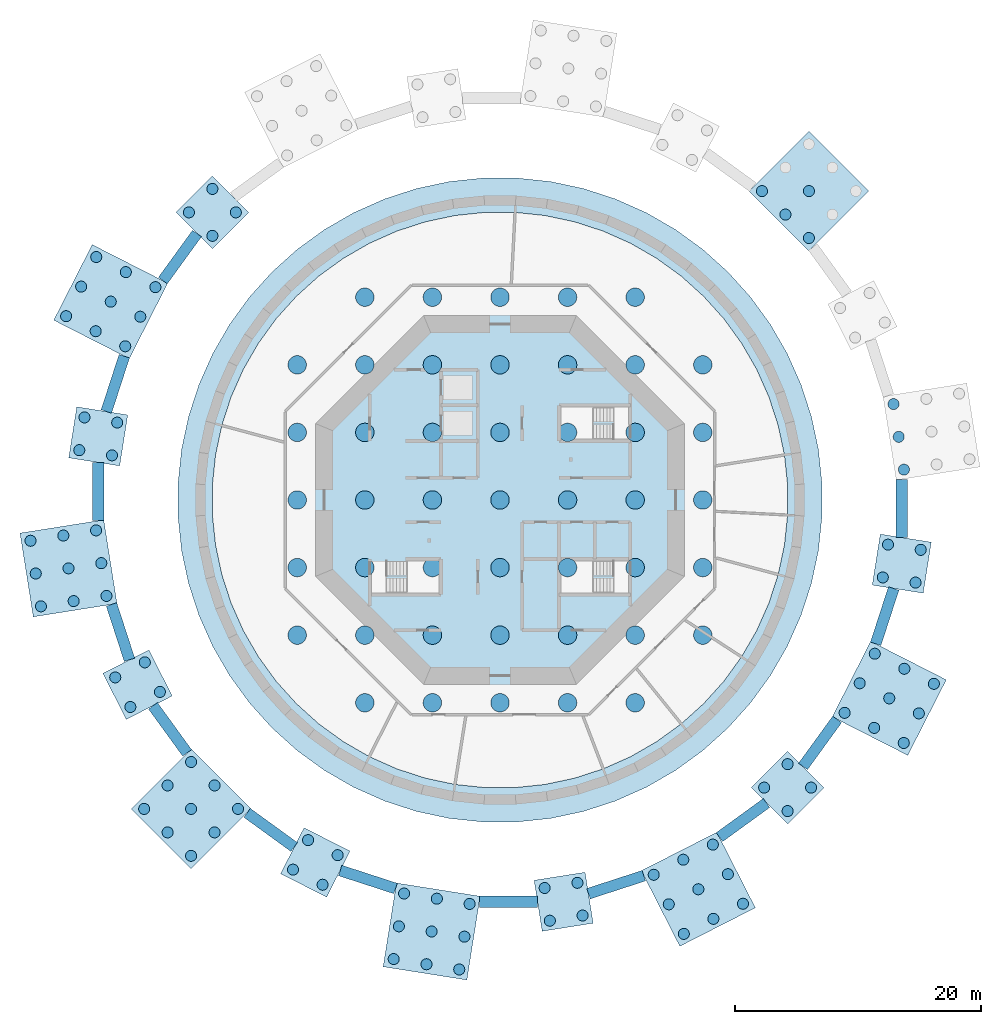
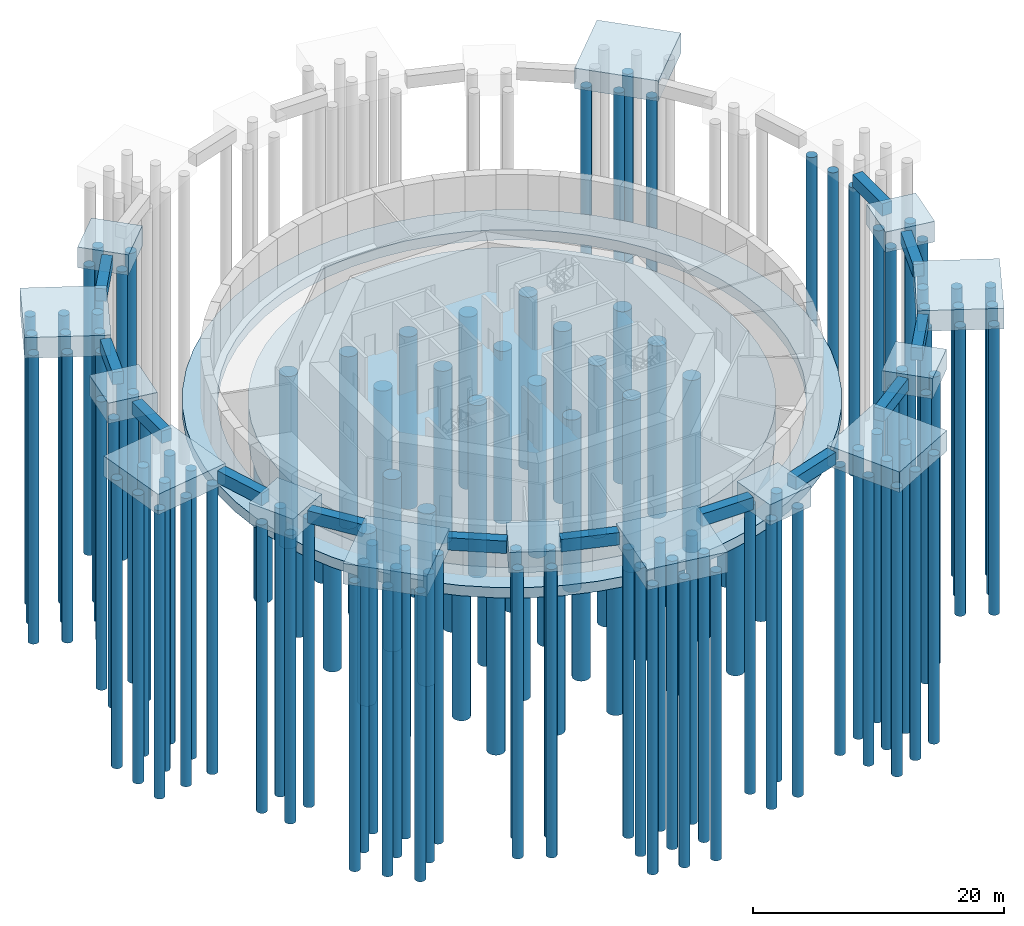
# One storey, part 1 of 8: 134 piles, 29 footings.
"""IFC4 building model written with IfcOpenShell, lengths in metres."""

from ifc_helpers import new_model, si_unit, direction, frame, origin, origin_2d, place, context, subcontext, project, spatial, polyline, rectangle, circle, outline, extrude, material, layer, layer_set, material_profile, profile_set, type_object, element, save


model = new_model("IFC4")

# Units and contexts
model_context = context("Model", 3, precision=1e-05, world=origin(), true_north=direction((0.0, 1.0)))
body_context = subcontext(model_context, "Body", "Model", "MODEL_VIEW")
ifc_project = project(units=[si_unit("LENGTHUNIT", "METRE"), si_unit("AREAUNIT", "SQUARE_METRE"), si_unit("VOLUMEUNIT", "CUBIC_METRE"), si_unit("PLANEANGLEUNIT", "RADIAN"), si_unit("MASSUNIT", "GRAM", prefix="KILO")], contexts=[model_context])

# Site, building, storey
site_placement = place(None, origin())
site = spatial("IfcSite", under=ifc_project, at=site_placement, CompositionType="ELEMENT")
building_placement = place(site_placement, origin())
building = spatial("IfcBuilding", under=site, at=building_placement, Name="Entoto Ring Tower", CompositionType="ELEMENT")
storey_placement = place(building_placement, frame((0.0, 0.0, -9.60009765625)))
storey = spatial("IfcBuildingStorey", under=building, at=storey_placement, Name="B2", CompositionType="ELEMENT", Elevation=-9.60009765625)

# Piles
ifc_material_1 = material(Name="Concrete C35/45", Category="concrete")
ifc_material_profile_1 = material_profile(ifc_material_1, circle(Radius=0.75, at=origin_2d()), Name="Bored pile 1500 mm")
ifc_profile_set_1 = profile_set([ifc_material_profile_1], Name="Concrete C35/45")
pile_type_1 = type_object("IfcPileType", Name="Bored pile 1500 mm", PredefinedType="BORED", material=ifc_profile_set_1)
for number, where, z_axis, x_axis, name in (
    (1, (79.0, 63.5, -3.64990234375), (0.0, 0.0, -1.0), (1.0, 0.0, 0.0), "Raft pile 001"),
    (2, (84.5, 63.5, -3.64990234375), (0.0, 0.0, -1.0), (1.0, 0.0, 0.0), "Raft pile 002"),
    (3, (90.0, 63.5, -3.64990234375), (0.0, 0.0, -1.0), (1.0, 0.0, 0.0), "Raft pile 003"),
    (4, (95.5, 63.5, -3.64990234375), (0.0, 0.0, -1.0), (1.0, 0.0, 0.0), "Raft pile 004"),
    (5, (101.0, 63.5, -3.64990234375), (0.0, 0.0, -1.0), (1.0, 0.0, 0.0), "Raft pile 005"),
    (6, (73.5, 69.0, -3.64990234375), (0.0, 0.0, -1.0), (1.0, 0.0, 0.0), "Raft pile 006"),
    (7, (79.0, 69.0, -3.64990234375), (0.0, 0.0, -1.0), (1.0, 0.0, 0.0), "Raft pile 007"),
    (8, (84.5, 69.0, -3.64990234375), (0.0, 0.0, -1.0), (1.0, 0.0, 0.0), "Raft pile 008"),
    (9, (90.0, 69.0, -3.64990234375), (0.0, 0.0, -1.0), (1.0, 0.0, 0.0), "Raft pile 009"),
    (10, (95.5, 69.0, -3.64990234375), (0.0, 0.0, -1.0), (1.0, 0.0, 0.0), "Raft pile 010"),
    (11, (101.0, 69.0, -3.64990234375), (0.0, 0.0, -1.0), (1.0, 0.0, 0.0), "Raft pile 011"),
    (12, (106.5, 69.0, -3.64990234375), (0.0, 0.0, -1.0), (1.0, 0.0, 0.0), "Raft pile 012"),
    (13, (73.5, 74.5, -3.64990234375), (0.0, 0.0, -1.0), (1.0, 0.0, 0.0), "Raft pile 013"),
    (14, (79.0, 74.5, -3.64990234375), (0.0, 0.0, -1.0), (1.0, 0.0, 0.0), "Raft pile 014"),
    (15, (84.5, 74.5, -3.64990234375), (0.0, 0.0, -1.0), (1.0, 0.0, 0.0), "Raft pile 015"),
    (16, (90.0, 74.5, -3.64990234375), (0.0, 0.0, -1.0), (1.0, 0.0, 0.0), "Raft pile 016"),
    (17, (95.5, 74.5, -3.64990234375), (0.0, 0.0, -1.0), (1.0, 0.0, 0.0), "Raft pile 017"),
    (18, (101.0, 74.5, -3.64990234375), (0.0, 0.0, -1.0), (1.0, 0.0, 0.0), "Raft pile 018"),
    (19, (106.5, 74.5, -3.64990234375), (0.0, 0.0, -1.0), (1.0, 0.0, 0.0), "Raft pile 019"),
    (20, (73.5, 80.0, -3.64990234375), (0.0, 0.0, -1.0), (1.0, 0.0, 0.0), "Raft pile 020"),
    (21, (79.0, 80.0, -3.64990234375), (0.0, 0.0, -1.0), (1.0, 0.0, 0.0), "Raft pile 021"),
    (22, (84.5, 80.0, -3.64990234375), (0.0, 0.0, -1.0), (1.0, 0.0, 0.0), "Raft pile 022"),
    (23, (90.0, 80.0, -3.64990234375), (0.0, 0.0, -1.0), (1.0, 0.0, 0.0), "Raft pile 023"),
    (24, (95.5, 80.0, -3.64990234375), (0.0, 0.0, -1.0), (1.0, 0.0, 0.0), "Raft pile 024"),
    (25, (101.0, 80.0, -3.64990234375), (0.0, 0.0, -1.0), (1.0, 0.0, 0.0), "Raft pile 025"),
    (26, (106.5, 80.0, -3.64990234375), (0.0, 0.0, -1.0), (1.0, 0.0, 0.0), "Raft pile 026"),
    (27, (73.5, 85.5, -3.64990234375), (0.0, 0.0, -1.0), (1.0, 0.0, 0.0), "Raft pile 027"),
    (28, (79.0, 85.5, -3.64990234375), (0.0, 0.0, -1.0), (1.0, 0.0, 0.0), "Raft pile 028"),
    (29, (84.5, 85.5, -3.64990234375), (0.0, 0.0, -1.0), (1.0, 0.0, 0.0), "Raft pile 029"),
    (30, (90.0, 85.5, -3.64990234375), (0.0, 0.0, -1.0), (1.0, 0.0, 0.0), "Raft pile 030"),
    (31, (95.5, 85.5, -3.64990234375), (0.0, 0.0, -1.0), (1.0, 0.0, 0.0), "Raft pile 031"),
    (32, (101.0, 85.5, -3.64990234375), (0.0, 0.0, -1.0), (1.0, 0.0, 0.0), "Raft pile 032"),
    (33, (106.5, 85.5, -3.64990234375), (0.0, 0.0, -1.0), (1.0, 0.0, 0.0), "Raft pile 033"),
    (34, (73.5, 91.0, -3.64990234375), (0.0, 0.0, -1.0), (1.0, 0.0, 0.0), "Raft pile 034"),
    (35, (79.0, 91.0, -3.64990234375), (0.0, 0.0, -1.0), (1.0, 0.0, 0.0), "Raft pile 035"),
    (36, (84.5, 91.0, -3.64990234375), (0.0, 0.0, -1.0), (1.0, 0.0, 0.0), "Raft pile 036"),
    (37, (90.0, 91.0, -3.64990234375), (0.0, 0.0, -1.0), (1.0, 0.0, 0.0), "Raft pile 037"),
    (38, (95.5, 91.0, -3.64990234375), (0.0, 0.0, -1.0), (1.0, 0.0, 0.0), "Raft pile 038"),
    (39, (101.0, 91.0, -3.64990234375), (0.0, 0.0, -1.0), (1.0, 0.0, 0.0), "Raft pile 039"),
    (40, (106.5, 91.0, -3.64990234375), (0.0, 0.0, -1.0), (1.0, 0.0, 0.0), "Raft pile 040"),
    (41, (79.0, 96.5, -3.64990234375), (0.0, 0.0, -1.0), (1.0, 0.0, 0.0), "Raft pile 041"),
    (42, (84.5, 96.5, -3.64990234375), (0.0, 0.0, -1.0), (1.0, 0.0, 0.0), "Raft pile 042"),
    (43, (90.0, 96.5, -3.64990234375), (0.0, 0.0, -1.0), (1.0, 0.0, 0.0), "Raft pile 043"),
    (44, (95.5, 96.5, -3.64990234375), (0.0, 0.0, -1.0), (1.0, 0.0, 0.0), "Raft pile 044"),
    (45, (101.0, 96.5, -3.64990234375), (0.0, 0.0, -1.0), (1.0, 0.0, 0.0), "Raft pile 045"),
):
    element("IfcPile", number, at=place(storey_placement, frame(where, z_axis=z_axis, x_axis=x_axis)), inside=storey, type_object=pile_type_1, Name=name, PredefinedType="BORED", context=body_context, shape_type="SweptSolid", body=[
        extrude(circle(Radius=0.75, at=origin_2d()), origin(), (0.0, 0.0, 1.0), 16.75),
    ])
ifc_material_2 = material(Name="Concrete C35/45", Category="concrete")
ifc_material_profile_2 = material_profile(ifc_material_2, circle(Radius=0.449951171875, at=origin_2d()), Name="Bored pile 900 mm")
ifc_profile_set_2 = profile_set([ifc_material_profile_2], Name="Concrete C35/45")
pile_type_2 = type_object("IfcPileType", Name="Bored pile 900 mm", PredefinedType="BORED", material=ifc_profile_set_2)
for number, where, z_axis, x_axis, name in (
    (46, (122.867919921875, 82.47216796875, 7.60009765625), (0.0, 0.0, -1.0), (1.0, 0.0, 0.0), "Pile R01 01"),
    (47, (122.445556640625, 85.138916015625, 7.60009765625), (0.0, 0.0, -1.0), (1.0, 0.0, 0.0), "Pile R01 02"),
    (48, (122.023193359375, 87.8056640625, 7.60009765625), (0.0, 0.0, -1.0), (1.0, 0.0, 0.0), "Pile R01 03"),
    (49, (115.1376953125, 101.3193359375, 7.60009765625), (0.0, 0.0, -1.0), (1.0, 0.0, 0.0), "Pile R03 01"),
    (50, (113.228515625, 103.228515625, 7.60009765625), (0.0, 0.0, -1.0), (1.0, 0.0, 0.0), "Pile R03 02"),
    (51, (111.3193359375, 105.1376953125, 7.60009765625), (0.0, 0.0, -1.0), (1.0, 0.0, 0.0), "Pile R03 03"),
    (52, (115.1376953125, 105.1376953125, 7.60009765625), (0.0, 0.0, -1.0), (1.0, 0.0, 0.0), "Pile R03 05"),
    (53, (68.50390625, 103.4052734375, 7.60009765625), (0.0, 0.0, -1.0), (1.0, 0.0, 0.0), "Pile R08 01"),
    (54, (66.5947265625, 101.49609375, 7.60009765625), (0.0, 0.0, -1.0), (1.0, 0.0, 0.0), "Pile R08 02"),
    (55, (66.5947265625, 105.314453125, 7.60009765625), (0.0, 0.0, -1.0), (1.0, 0.0, 0.0), "Pile R08 03"),
    (56, (64.685546875, 103.4052734375, 7.60009765625), (0.0, 0.0, -1.0), (1.0, 0.0, 0.0), "Pile R08 04"),
    (57, (61.956298828125, 97.3193359375, 7.60009765625), (0.0, 0.0, -1.0), (1.0, 0.0, 0.0), "Pile R09 01"),
    (58, (60.73046875, 94.91357421875, 7.60009765625), (0.0, 0.0, -1.0), (1.0, 0.0, 0.0), "Pile R09 02"),
    (59, (59.504638671875, 92.5078125, 7.60009765625), (0.0, 0.0, -1.0), (1.0, 0.0, 0.0), "Pile R09 03"),
    (60, (59.550537109375, 98.545166015625, 7.60009765625), (0.0, 0.0, -1.0), (1.0, 0.0, 0.0), "Pile R09 04"),
    (61, (58.32470703125, 96.139404296875, 7.60009765625), (0.0, 0.0, -1.0), (1.0, 0.0, 0.0), "Pile R09 05"),
    (62, (57.098876953125, 93.733642578125, 7.60009765625), (0.0, 0.0, -1.0), (1.0, 0.0, 0.0), "Pile R09 06"),
    (63, (57.144775390625, 99.770751953125, 7.60009765625), (0.0, 0.0, -1.0), (1.0, 0.0, 0.0), "Pile R09 07"),
    (64, (55.9189453125, 97.365234375, 7.60009765625), (0.0, 0.0, -1.0), (1.0, 0.0, 0.0), "Pile R09 08"),
    (65, (54.693115234375, 94.95947265625, 7.60009765625), (0.0, 0.0, -1.0), (1.0, 0.0, 0.0), "Pile R09 09"),
    (66, (58.85205078125, 86.30029296875, 7.60009765625), (0.0, 0.0, -1.0), (1.0, 0.0, 0.0), "Pile R10 01"),
    (67, (58.4296875, 83.63330078125, 7.60009765625), (0.0, 0.0, -1.0), (1.0, 0.0, 0.0), "Pile R10 02"),
    (68, (56.185302734375, 86.72265625, 7.60009765625), (0.0, 0.0, -1.0), (1.0, 0.0, 0.0), "Pile R10 03"),
    (69, (55.762939453125, 84.055908203125, 7.60009765625), (0.0, 0.0, -1.0), (1.0, 0.0, 0.0), "Pile R10 04"),
    (70, (57.132080078125, 77.52783203125, 7.60009765625), (0.0, 0.0, -1.0), (1.0, 0.0, 0.0), "Pile R11 01"),
    (71, (57.554443359375, 74.861083984375, 7.60009765625), (0.0, 0.0, -1.0), (1.0, 0.0, 0.0), "Pile R11 02"),
    (72, (57.976806640625, 72.1943359375, 7.60009765625), (0.0, 0.0, -1.0), (1.0, 0.0, 0.0), "Pile R11 03"),
    (73, (54.46533203125, 77.10546875, 7.60009765625), (0.0, 0.0, -1.0), (1.0, 0.0, 0.0), "Pile R11 04"),
    (74, (54.8876953125, 74.438720703125, 7.60009765625), (0.0, 0.0, -1.0), (1.0, 0.0, 0.0), "Pile R11 05"),
    (75, (55.31005859375, 71.77197265625, 7.60009765625), (0.0, 0.0, -1.0), (1.0, 0.0, 0.0), "Pile R11 06"),
    (76, (51.798583984375, 76.68310546875, 7.60009765625), (0.0, 0.0, -1.0), (1.0, 0.0, 0.0), "Pile R11 07"),
    (77, (52.220947265625, 74.016357421875, 7.60009765625), (0.0, 0.0, -1.0), (1.0, 0.0, 0.0), "Pile R11 08"),
    (78, (52.643310546875, 71.349609375, 7.60009765625), (0.0, 0.0, -1.0), (1.0, 0.0, 0.0), "Pile R11 09"),
    (79, (61.09765625, 66.78857421875, 7.60009765625), (0.0, 0.0, -1.0), (1.0, 0.0, 0.0), "Pile R12 01"),
    (80, (62.323486328125, 64.383056640625, 7.60009765625), (0.0, 0.0, -1.0), (1.0, 0.0, 0.0), "Pile R12 02"),
    (81, (58.69189453125, 65.56298828125, 7.60009765625), (0.0, 0.0, -1.0), (1.0, 0.0, 0.0), "Pile R12 03"),
    (82, (59.917724609375, 63.1572265625, 7.60009765625), (0.0, 0.0, -1.0), (1.0, 0.0, 0.0), "Pile R12 04"),
    (83, (64.8623046875, 58.6806640625, 7.60009765625), (0.0, 0.0, -1.0), (1.0, 0.0, 0.0), "Pile R13 01"),
    (84, (66.771484375, 56.771484375, 7.60009765625), (0.0, 0.0, -1.0), (1.0, 0.0, 0.0), "Pile R13 02"),
    (85, (68.6806640625, 54.8623046875, 7.60009765625), (0.0, 0.0, -1.0), (1.0, 0.0, 0.0), "Pile R13 03"),
    (86, (62.953125, 56.771484375, 7.60009765625), (0.0, 0.0, -1.0), (1.0, 0.0, 0.0), "Pile R13 04"),
    (87, (64.8623046875, 54.8623046875, 7.60009765625), (0.0, 0.0, -1.0), (1.0, 0.0, 0.0), "Pile R13 05"),
    (88, (66.771484375, 52.953125, 7.60009765625), (0.0, 0.0, -1.0), (1.0, 0.0, 0.0), "Pile R13 06"),
    (89, (61.0439453125, 54.8623046875, 7.60009765625), (0.0, 0.0, -1.0), (1.0, 0.0, 0.0), "Pile R13 07"),
    (90, (62.953125, 52.953125, 7.60009765625), (0.0, 0.0, -1.0), (1.0, 0.0, 0.0), "Pile R13 08"),
    (91, (64.8623046875, 51.0439453125, 7.60009765625), (0.0, 0.0, -1.0), (1.0, 0.0, 0.0), "Pile R13 09"),
    (92, (74.383056640625, 52.323486328125, 7.60009765625), (0.0, 0.0, -1.0), (1.0, 0.0, 0.0), "Pile R14 01"),
    (93, (76.78857421875, 51.09765625, 7.60009765625), (0.0, 0.0, -1.0), (1.0, 0.0, 0.0), "Pile R14 02"),
    (94, (73.1572265625, 49.917724609375, 7.60009765625), (0.0, 0.0, -1.0), (1.0, 0.0, 0.0), "Pile R14 03"),
    (95, (75.56298828125, 48.69189453125, 7.60009765625), (0.0, 0.0, -1.0), (1.0, 0.0, 0.0), "Pile R14 04"),
    (96, (82.1943359375, 47.976806640625, 7.60009765625), (0.0, 0.0, -1.0), (1.0, 0.0, 0.0), "Pile R15 01"),
    (97, (84.861083984375, 47.554443359375, 7.60009765625), (0.0, 0.0, -1.0), (1.0, 0.0, 0.0), "Pile R15 02"),
    (98, (87.52783203125, 47.132080078125, 7.60009765625), (0.0, 0.0, -1.0), (1.0, 0.0, 0.0), "Pile R15 03"),
    (99, (81.77197265625, 45.31005859375, 7.60009765625), (0.0, 0.0, -1.0), (1.0, 0.0, 0.0), "Pile R15 04"),
    (100, (84.438720703125, 44.8876953125, 7.60009765625), (0.0, 0.0, -1.0), (1.0, 0.0, 0.0), "Pile R15 05"),
    (101, (87.10546875, 44.46533203125, 7.60009765625), (0.0, 0.0, -1.0), (1.0, 0.0, 0.0), "Pile R15 06"),
    (102, (81.349609375, 42.643310546875, 7.60009765625), (0.0, 0.0, -1.0), (1.0, 0.0, 0.0), "Pile R15 07"),
    (103, (84.016357421875, 42.220947265625, 7.60009765625), (0.0, 0.0, -1.0), (1.0, 0.0, 0.0), "Pile R15 08"),
    (104, (86.68310546875, 41.798583984375, 7.60009765625), (0.0, 0.0, -1.0), (1.0, 0.0, 0.0), "Pile R15 09"),
    (105, (93.63330078125, 48.4296875, 7.60009765625), (0.0, 0.0, -1.0), (1.0, 0.0, 0.0), "Pile R16 01"),
    (106, (96.30029296875, 48.85205078125, 7.60009765625), (0.0, 0.0, -1.0), (1.0, 0.0, 0.0), "Pile R16 02"),
    (107, (94.055908203125, 45.762939453125, 7.60009765625), (0.0, 0.0, -1.0), (1.0, 0.0, 0.0), "Pile R16 03"),
    (108, (96.72265625, 46.185302734375, 7.60009765625), (0.0, 0.0, -1.0), (1.0, 0.0, 0.0), "Pile R16 04"),
    (109, (102.5078125, 49.504638671875, 7.60009765625), (0.0, 0.0, -1.0), (1.0, 0.0, 0.0), "Pile R17 01"),
    (110, (104.91357421875, 50.73046875, 7.60009765625), (0.0, 0.0, -1.0), (1.0, 0.0, 0.0), "Pile R17 02"),
    (111, (107.3193359375, 51.956298828125, 7.60009765625), (0.0, 0.0, -1.0), (1.0, 0.0, 0.0), "Pile R17 03"),
    (112, (103.733642578125, 47.098876953125, 7.60009765625), (0.0, 0.0, -1.0), (1.0, 0.0, 0.0), "Pile R17 04"),
    (113, (106.139404296875, 48.32470703125, 7.60009765625), (0.0, 0.0, -1.0), (1.0, 0.0, 0.0), "Pile R17 05"),
    (114, (108.545166015625, 49.550537109375, 7.60009765625), (0.0, 0.0, -1.0), (1.0, 0.0, 0.0), "Pile R17 06"),
    (115, (104.95947265625, 44.693115234375, 7.60009765625), (0.0, 0.0, -1.0), (1.0, 0.0, 0.0), "Pile R17 07"),
    (116, (107.365234375, 45.9189453125, 7.60009765625), (0.0, 0.0, -1.0), (1.0, 0.0, 0.0), "Pile R17 08"),
    (117, (109.770751953125, 47.144775390625, 7.60009765625), (0.0, 0.0, -1.0), (1.0, 0.0, 0.0), "Pile R17 09"),
    (118, (111.49609375, 56.5947265625, 7.60009765625), (0.0, 0.0, -1.0), (1.0, 0.0, 0.0), "Pile R18 01"),
    (119, (113.4052734375, 58.50390625, 7.60009765625), (0.0, 0.0, -1.0), (1.0, 0.0, 0.0), "Pile R18 02"),
    (120, (113.4052734375, 54.685546875, 7.60009765625), (0.0, 0.0, -1.0), (1.0, 0.0, 0.0), "Pile R18 03"),
    (121, (115.314453125, 56.5947265625, 7.60009765625), (0.0, 0.0, -1.0), (1.0, 0.0, 0.0), "Pile R18 04"),
    (122, (118.043701171875, 62.6806640625, 7.60009765625), (0.0, 0.0, -1.0), (1.0, 0.0, 0.0), "Pile R19 01"),
    (123, (119.26953125, 65.08642578125, 7.60009765625), (0.0, 0.0, -1.0), (1.0, 0.0, 0.0), "Pile R19 02"),
    (124, (120.495361328125, 67.4921875, 7.60009765625), (0.0, 0.0, -1.0), (1.0, 0.0, 0.0), "Pile R19 03"),
    (125, (120.449462890625, 61.454833984375, 7.60009765625), (0.0, 0.0, -1.0), (1.0, 0.0, 0.0), "Pile R19 04"),
    (126, (121.67529296875, 63.860595703125, 7.60009765625), (0.0, 0.0, -1.0), (1.0, 0.0, 0.0), "Pile R19 05"),
    (127, (122.901123046875, 66.266357421875, 7.60009765625), (0.0, 0.0, -1.0), (1.0, 0.0, 0.0), "Pile R19 06"),
    (128, (122.855224609375, 60.229248046875, 7.60009765625), (0.0, 0.0, -1.0), (1.0, 0.0, 0.0), "Pile R19 07"),
    (129, (124.0810546875, 62.634765625, 7.60009765625), (0.0, 0.0, -1.0), (1.0, 0.0, 0.0), "Pile R19 08"),
    (130, (125.306884765625, 65.04052734375, 7.60009765625), (0.0, 0.0, -1.0), (1.0, 0.0, 0.0), "Pile R19 09"),
    (131, (121.14794921875, 73.69970703125, 7.60009765625), (0.0, 0.0, -1.0), (1.0, 0.0, 0.0), "Pile R20 01"),
    (132, (121.5703125, 76.36669921875, 7.60009765625), (0.0, 0.0, -1.0), (1.0, 0.0, 0.0), "Pile R20 02"),
    (133, (123.814697265625, 73.27734375, 7.60009765625), (0.0, 0.0, -1.0), (1.0, 0.0, 0.0), "Pile R20 03"),
    (134, (124.237060546875, 75.944091796875, 7.60009765625), (0.0, 0.0, -1.0), (1.0, 0.0, 0.0), "Pile R20 04"),
):
    element("IfcPile", number, at=place(storey_placement, frame(where, z_axis=z_axis, x_axis=x_axis)), inside=storey, type_object=pile_type_2, Name=name, PredefinedType="BORED", context=body_context, shape_type="SweptSolid", body=[
        extrude(circle(Radius=0.449951171875, at=origin_2d()), origin(), (0.0, 0.0, 1.0), 28.0),
    ])

# Footings
ifc_material_3 = material(Name="Concrete C40/50", Category="concrete")
ifc_material_profile_3 = material_profile(ifc_material_3, rectangle(XDim=0.89990234375, YDim=1.199951171875, at=origin_2d()), Name="Ground tie beam 900 x 1200")
ifc_profile_set_3 = profile_set([ifc_material_profile_3], Name="Concrete C40/50")
footing_type_1 = type_object("IfcFootingType", Name="Ground tie beam 900 x 1200", PredefinedType="FOOTING_BEAM", material=ifc_profile_set_3)
for number, where, z_axis, x_axis, name in (
    (135, (65.344970703125, 101.68505859375, 8.7001953125), (-0.587791610673, -0.809012374703, 0.0), (0.809012374703, -0.587791610673, 0.0), "Ground tie beam 08"),
    (136, (59.42822265625, 91.705078125, 8.7001953125), (-0.308997495923, -0.951062851505, 0.0), (0.951062851505, -0.308997495923, 0.0), "Ground tie beam 09"),
):
    element("IfcFooting", number, at=place(storey_placement, frame(where, z_axis=z_axis, x_axis=x_axis)), inside=storey, type_object=footing_type_1, Name=name, PredefinedType="FOOTING_BEAM", context=body_context, shape_type="SweptSolid", body=[
        extrude(rectangle(XDim=0.89990234375, YDim=1.199951171875, at=origin_2d()), origin(), (0.0, 0.0, 1.0), 4.736572265625),
    ])
footing_1_placement = place(storey_placement, frame((57.3076171875, 83.0517578125, 8.7001953125), z_axis=(0.0, -1.0, 0.0), x_axis=(1.0, 0.0, 0.0)))
element("IfcFooting", 137, at=footing_1_placement, inside=storey, type_object=footing_type_1, Name="Ground tie beam 10", PredefinedType="FOOTING_BEAM", context=body_context, shape_type="SweptSolid", body=[
    extrude(rectangle(XDim=0.89990234375, YDim=1.199951171875, at=origin_2d()), origin(), (0.0, 0.0, 1.0), 4.73681640625),
])
footing_2_placement = place(storey_placement, frame((58.386962890625, 71.5, 8.7001953125), z_axis=(0.308997495923, -0.951062851505, 0.0), x_axis=(0.951062851505, 0.308997495923, 0.0)))
element("IfcFooting", 138, at=footing_2_placement, inside=storey, type_object=footing_type_1, Name="Ground tie beam 11", PredefinedType="FOOTING_BEAM", context=body_context, shape_type="SweptSolid", body=[
    extrude(rectangle(XDim=0.89990234375, YDim=1.199951171875, at=origin_2d()), origin(), (0.0, 0.0, 1.0), 4.736572265625),
])
for number, where, z_axis, x_axis, name in (
    (139, (61.75732421875, 63.252685546875, 8.7001953125), (0.587825343812, -0.808987864663, 0.0), (0.808987864663, 0.587825343812, 0.0), "Ground tie beam 12"),
    (140, (69.420654296875, 54.541748046875, 8.7001953125), (0.808987864663, -0.587825343812, 0.0), (0.587825343812, 0.808987864663, 0.0), "Ground tie beam 13"),
):
    element("IfcFooting", number, at=place(storey_placement, frame(where, z_axis=z_axis, x_axis=x_axis)), inside=storey, type_object=footing_type_1, Name=name, PredefinedType="FOOTING_BEAM", context=body_context, shape_type="SweptSolid", body=[
        extrude(rectangle(XDim=0.89990234375, YDim=1.199951171875, at=origin_2d()), origin(), (0.0, 0.0, 1.0), 4.73681640625),
    ])
footing_3_placement = place(storey_placement, frame((76.9951171875, 49.8505859375, 8.7001953125), z_axis=(0.951062851505, -0.308997495923, 0.0), x_axis=(0.308997495923, 0.951062851505, 0.0)))
element("IfcFooting", 141, at=footing_3_placement, inside=storey, type_object=footing_type_1, Name="Ground tie beam 14", PredefinedType="FOOTING_BEAM", context=body_context, shape_type="SweptSolid", body=[
    extrude(rectangle(XDim=0.89990234375, YDim=1.199951171875, at=origin_2d()), origin(), (0.0, 0.0, 1.0), 4.736572265625),
])
footing_4_placement = place(storey_placement, frame((88.31494140625, 47.3076171875, 8.7001953125), z_axis=(1.0, 0.0, 0.0), x_axis=(0.0, 1.0, 0.0)))
element("IfcFooting", 142, at=footing_4_placement, inside=storey, type_object=footing_type_1, Name="Ground tie beam 15", PredefinedType="FOOTING_BEAM", context=body_context, shape_type="SweptSolid", body=[
    extrude(rectangle(XDim=0.89990234375, YDim=1.199951171875, at=origin_2d()), origin(), (0.0, 0.0, 1.0), 4.73681640625),
])
for number, where, z_axis, x_axis, name in (
    (143, (97.2001953125, 47.964599609375, 8.7001953125), (0.951062851505, 0.308997495923, 0.0), (-0.308997495923, 0.951062851505, 0.0), "Ground tie beam 16"),
    (144, (107.85302734375, 52.560791015625, 8.7001953125), (0.809012374703, 0.587791610673, 0.0), (-0.587791610673, 0.809012374703, 0.0), "Ground tie beam 17"),
    (145, (114.655029296875, 58.31494140625, 8.7001953125), (0.587791610673, 0.809012374703, 0.0), (-0.809012374703, 0.587791610673, 0.0), "Ground tie beam 18"),
    (146, (120.57177734375, 68.294921875, 8.7001953125), (0.308997495923, 0.951062851505, 0.0), (-0.951062851505, 0.308997495923, 0.0), "Ground tie beam 19"),
):
    element("IfcFooting", number, at=place(storey_placement, frame(where, z_axis=z_axis, x_axis=x_axis)), inside=storey, type_object=footing_type_1, Name=name, PredefinedType="FOOTING_BEAM", context=body_context, shape_type="SweptSolid", body=[
        extrude(rectangle(XDim=0.89990234375, YDim=1.199951171875, at=origin_2d()), origin(), (0.0, 0.0, 1.0), 4.736572265625),
    ])
footing_5_placement = place(storey_placement, frame((122.6923828125, 76.9482421875, 8.7001953125), z_axis=(0.0, 1.0, 0.0), x_axis=(-1.0, 0.0, 0.0)))
element("IfcFooting", 147, at=footing_5_placement, inside=storey, type_object=footing_type_1, Name="Ground tie beam 20", PredefinedType="FOOTING_BEAM", context=body_context, shape_type="SweptSolid", body=[
    extrude(rectangle(XDim=0.89990234375, YDim=1.199951171875, at=origin_2d()), origin(), (0.0, 0.0, 1.0), 4.73681640625),
])
ifc_material_4 = material(Name="Concrete C35/45", Category="concrete")
ifc_layer_1 = layer(ifc_material_4, 2.0)
ifc_layer_set_1 = layer_set([ifc_layer_1], Name="Concrete C35/45")
footing_type_2 = type_object("IfcFootingType", Name="Pile cap four piles", PredefinedType="PILE_CAP", material=ifc_layer_set_1)
for number, where, z_axis, x_axis, name in (
    (148, (66.5947265625, 103.4052734375, 7.60009765625), (0.0, 0.0, 1.0), (-0.707106781187, 0.707106781187, 0.0), "Pile cap R08"),
    (149, (57.3076171875, 85.177978515625, 7.60009765625), (0.0, 0.0, 1.0), (-0.987688340595, 0.15643446504, 0.0), "Pile cap R10"),
    (150, (60.507568359375, 64.972900390625, 7.60009765625), (0.0, 0.0, 1.0), (-0.891006524188, -0.45399049974, 0.0), "Pile cap R12"),
    (151, (74.972900390625, 50.507568359375, 7.60009765625), (0.0, 0.0, 1.0), (-0.45399049974, -0.891006524188, 0.0), "Pile cap R14"),
    (152, (95.177978515625, 47.3076171875, 7.60009765625), (0.0, 0.0, 1.0), (0.15643446504, -0.987688340595, 0.0), "Pile cap R16"),
    (153, (113.4052734375, 56.5947265625, 7.60009765625), (0.0, 0.0, 1.0), (0.707106781187, -0.707106781187, 0.0), "Pile cap R18"),
    (154, (122.6923828125, 74.822021484375, 7.60009765625), (0.0, 0.0, 1.0), (0.987688340595, -0.15643446504, 0.0), "Pile cap R20"),
):
    element("IfcFooting", number, at=place(storey_placement, frame(where, z_axis=z_axis, x_axis=x_axis)), inside=storey, type_object=footing_type_2, Name=name, PredefinedType="PILE_CAP", context=body_context, shape_type="SweptSolid", body=[
        extrude(rectangle(XDim=4.199951171875, YDim=4.199951171875, at=origin_2d()), origin(), (0.0, 0.0, 1.0), 2.0),
    ])
ifc_material_5 = material(Name="Concrete C35/45", Category="concrete")
ifc_layer_2 = layer(ifc_material_5, 2.0)
ifc_layer_set_2 = layer_set([ifc_layer_2], Name="Concrete C35/45")
footing_type_3 = type_object("IfcFootingType", Name="Pile cap nine piles", PredefinedType="PILE_CAP", material=ifc_layer_set_2)
for number, where, z_axis, x_axis, name in (
    (155, (115.1376953125, 105.1376953125, 7.60009765625), (0.0, 0.0, 1.0), (0.707106781187, 0.707106781187, 0.0), "Pile cap R03"),
    (156, (58.32470703125, 96.139404296875, 7.60009765625), (0.0, 0.0, 1.0), (-0.891006524188, 0.45399049974, 0.0), "Pile cap R09"),
    (157, (54.8876953125, 74.438720703125, 7.60009765625), (0.0, 0.0, 1.0), (-0.987688340595, -0.15643446504, 0.0), "Pile cap R11"),
    (158, (64.8623046875, 54.8623046875, 7.60009765625), (0.0, 0.0, 1.0), (-0.707106781187, -0.707106781187, 0.0), "Pile cap R13"),
    (159, (84.438720703125, 44.8876953125, 7.60009765625), (0.0, 0.0, 1.0), (-0.15643446504, -0.987688340595, 0.0), "Pile cap R15"),
    (160, (106.139404296875, 48.32470703125, 7.60009765625), (0.0, 0.0, 1.0), (0.45399049974, -0.891006524188, 0.0), "Pile cap R17"),
    (161, (121.67529296875, 63.860595703125, 7.60009765625), (0.0, 0.0, 1.0), (0.891006524188, -0.45399049974, 0.0), "Pile cap R19"),
):
    element("IfcFooting", number, at=place(storey_placement, frame(where, z_axis=z_axis, x_axis=x_axis)), inside=storey, type_object=footing_type_3, Name=name, PredefinedType="PILE_CAP", context=body_context, shape_type="SweptSolid", body=[
        extrude(rectangle(XDim=6.89990234375, YDim=6.89990234375, at=origin_2d()), origin(), (0.0, 0.0, 1.0), 2.0),
    ])
ifc_material_6 = material(Name="Concrete C40/50", Category="concrete")
ifc_layer_3 = layer(ifc_material_6, 3.5)
ifc_layer_set_3 = layer_set([ifc_layer_3], Name="Concrete C40/50")
footing_type_4 = type_object("IfcFootingType", Name="Piled raft 3500 mm", PredefinedType="PILE_CAP", material=ifc_layer_set_3)
footing_6_placement = place(storey_placement, frame((0.0, 0.0, -3.64990234375)))
element("IfcFooting", 162, at=footing_6_placement, inside=storey, type_object=footing_type_4, Name="Raft", PredefinedType="PILE_CAP", context=body_context, shape_type="SweptSolid", body=[
    extrude(outline(polyline([(110.741455078125, 83.28515625), (110.284423828125, 85.435302734375), (109.605224609375, 87.525634765625), (108.711181640625, 89.53369140625), (107.612060546875, 91.4375), (106.320068359375, 93.2158203125), (104.84912109375, 94.84912109375), (103.2158203125, 96.320068359375), (101.4375, 97.612060546875), (99.53369140625, 98.711181640625), (97.525634765625, 99.605224609375), (95.435302734375, 100.284423828125), (93.28515625, 100.741455078125), (91.09912109375, 100.97119140625), (88.90087890625, 100.97119140625), (86.71484375, 100.741455078125), (84.564697265625, 100.284423828125), (82.474365234375, 99.605224609375), (80.46630859375, 98.711181640625), (78.5625, 97.612060546875), (76.7841796875, 96.320068359375), (75.15087890625, 94.84912109375), (73.679931640625, 93.2158203125), (72.387939453125, 91.4375), (71.288818359375, 89.53369140625), (70.394775390625, 87.525634765625), (69.715576171875, 85.435302734375), (69.258544921875, 83.28515625), (69.02880859375, 81.09912109375), (69.02880859375, 78.90087890625), (69.258544921875, 76.71484375), (69.715576171875, 74.564697265625), (70.394775390625, 72.474365234375), (71.288818359375, 70.46630859375), (72.387939453125, 68.5625), (73.679931640625, 66.7841796875), (75.15087890625, 65.15087890625), (76.7841796875, 63.679931640625), (78.5625, 62.387939453125), (80.46630859375, 61.288818359375), (82.474365234375, 60.394775390625), (84.564697265625, 59.715576171875), (86.71484375, 59.258544921875), (88.90087890625, 59.02880859375), (91.09912109375, 59.02880859375), (93.28515625, 59.258544921875), (95.435302734375, 59.715576171875), (97.525634765625, 60.394775390625), (99.53369140625, 61.288818359375), (101.4375, 62.387939453125), (103.2158203125, 63.679931640625), (104.84912109375, 65.15087890625), (106.320068359375, 66.7841796875), (107.612060546875, 68.5625), (108.711181640625, 70.46630859375), (109.605224609375, 72.474365234375), (110.284423828125, 74.564697265625), (110.741455078125, 76.71484375), (110.97119140625, 78.90087890625), (110.97119140625, 81.09912109375), (110.741455078125, 83.28515625)])), origin(), (0.0, 0.0, 1.0), 3.5),
])
ifc_material_7 = material(Name="Concrete C40/50", Category="concrete")
ifc_layer_4 = layer(ifc_material_7, 1.0)
ifc_layer_set_4 = layer_set([ifc_layer_4], Name="Concrete C40/50")
footing_type_5 = type_object("IfcFootingType", Name="Retaining wall footing 1000 mm", PredefinedType="STRIP_FOOTING", material=ifc_layer_set_4)
footing_7_placement = place(storey_placement, frame((0.0, 0.0, -1.14990234375)))
element("IfcFooting", 163, at=footing_7_placement, inside=storey, type_object=footing_type_5, Name="Retaining wall footing", PredefinedType="STRIP_FOOTING", context=body_context, shape_type="SweptSolid", body=[
    extrude(outline(polyline([(115.912841796875, 84.104248046875), (115.342041015625, 86.790283203125), (114.493408203125, 89.402099609375), (113.37646484375, 91.910888671875), (112.00341796875, 94.2890625), (110.38916015625, 96.5107421875), (108.551513671875, 98.551513671875), (106.5107421875, 100.38916015625), (104.2890625, 102.00341796875), (101.910888671875, 103.37646484375), (99.402099609375, 104.493408203125), (96.790283203125, 105.342041015625), (94.104248046875, 105.912841796875), (91.373046875, 106.199951171875), (88.626953125, 106.199951171875), (85.895751953125, 105.912841796875), (83.209716796875, 105.342041015625), (80.597900390625, 104.493408203125), (78.089111328125, 103.37646484375), (75.7109375, 102.00341796875), (73.4892578125, 100.38916015625), (71.448486328125, 98.551513671875), (69.61083984375, 96.5107421875), (67.99658203125, 94.2890625), (66.62353515625, 91.910888671875), (65.506591796875, 89.402099609375), (64.657958984375, 86.790283203125), (64.087158203125, 84.104248046875), (63.800048828125, 81.373046875), (63.800048828125, 78.626953125), (64.087158203125, 75.895751953125), (64.657958984375, 73.209716796875), (65.506591796875, 70.597900390625), (66.62353515625, 68.089111328125), (67.99658203125, 65.7109375), (69.61083984375, 63.4892578125), (71.448486328125, 61.448486328125), (73.4892578125, 59.61083984375), (75.7109375, 57.99658203125), (78.089111328125, 56.62353515625), (80.597900390625, 55.506591796875), (83.209716796875, 54.657958984375), (85.895751953125, 54.087158203125), (88.626953125, 53.800048828125), (91.373046875, 53.800048828125), (94.104248046875, 54.087158203125), (96.790283203125, 54.657958984375), (99.402099609375, 55.506591796875), (101.910888671875, 56.62353515625), (104.2890625, 57.99658203125), (106.5107421875, 59.61083984375), (108.551513671875, 61.448486328125), (110.38916015625, 63.4892578125), (112.00341796875, 65.7109375), (113.37646484375, 68.089111328125), (114.493408203125, 70.597900390625), (115.342041015625, 73.209716796875), (115.912841796875, 75.895751953125), (116.199951171875, 78.626953125), (116.199951171875, 81.373046875), (115.912841796875, 84.104248046875)]), holes=[polyline([(113.1435546875, 83.66552734375), (112.6337890625, 86.064697265625), (111.875732421875, 88.397216796875), (110.878173828125, 90.637939453125), (109.65185546875, 92.761962890625), (108.210205078125, 94.746337890625), (106.569091796875, 96.569091796875), (104.746337890625, 98.210205078125), (102.761962890625, 99.65185546875), (100.637939453125, 100.878173828125), (98.397216796875, 101.875732421875), (96.064697265625, 102.6337890625), (93.66552734375, 103.1435546875), (91.226318359375, 103.39990234375), (88.773681640625, 103.39990234375), (86.33447265625, 103.1435546875), (83.935302734375, 102.6337890625), (81.602783203125, 101.875732421875), (79.362060546875, 100.878173828125), (77.238037109375, 99.65185546875), (75.253662109375, 98.210205078125), (73.430908203125, 96.569091796875), (71.789794921875, 94.746337890625), (70.34814453125, 92.761962890625), (69.121826171875, 90.637939453125), (68.124267578125, 88.397216796875), (67.3662109375, 86.064697265625), (66.8564453125, 83.66552734375), (66.60009765625, 81.226318359375), (66.60009765625, 78.773681640625), (66.8564453125, 76.33447265625), (67.3662109375, 73.935302734375), (68.124267578125, 71.602783203125), (69.121826171875, 69.362060546875), (70.34814453125, 67.238037109375), (71.789794921875, 65.253662109375), (73.430908203125, 63.430908203125), (75.253662109375, 61.789794921875), (77.238037109375, 60.34814453125), (79.362060546875, 59.121826171875), (81.602783203125, 58.124267578125), (83.935302734375, 57.3662109375), (86.33447265625, 56.8564453125), (88.773681640625, 56.60009765625), (91.226318359375, 56.60009765625), (93.66552734375, 56.8564453125), (96.064697265625, 57.3662109375), (98.397216796875, 58.124267578125), (100.637939453125, 59.121826171875), (102.761962890625, 60.34814453125), (104.746337890625, 61.789794921875), (106.569091796875, 63.430908203125), (108.210205078125, 65.253662109375), (109.65185546875, 67.238037109375), (110.878173828125, 69.362060546875), (111.875732421875, 71.602783203125), (112.6337890625, 73.935302734375), (113.1435546875, 76.33447265625), (113.39990234375, 78.773681640625), (113.39990234375, 81.226318359375), (113.1435546875, 83.66552734375)])]), origin(), (0.0, 0.0, 1.0), 1.0),
])

save(model, "model.ifc")
